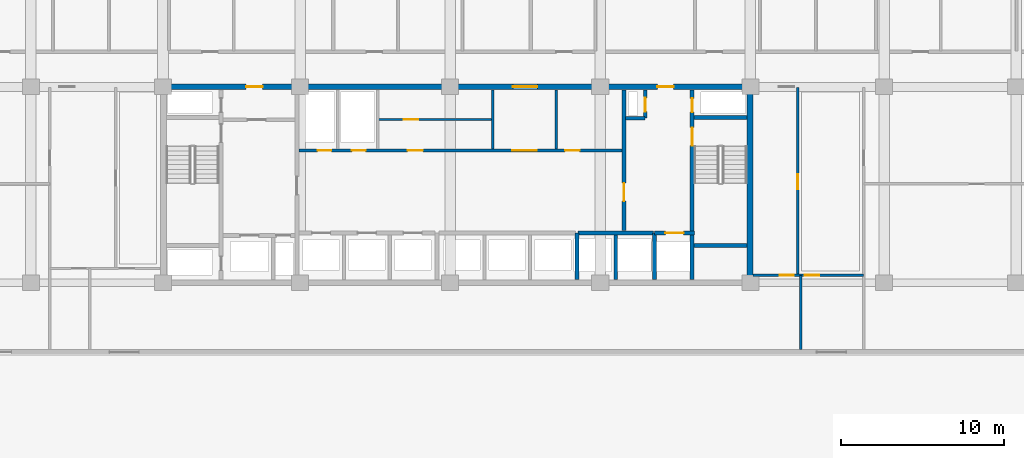
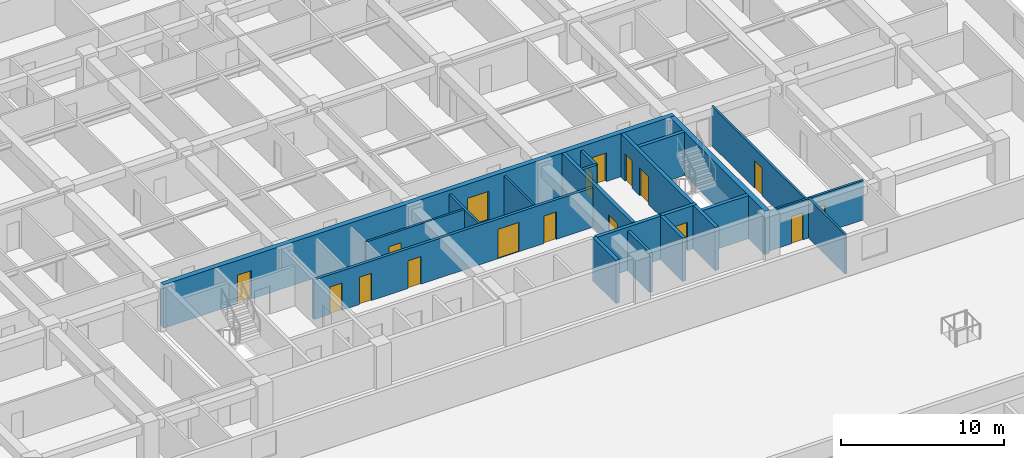
# One storey, part 12 of 24: 20 walls, 17 doors, 17 openings.
"""IFC4 building model written with IfcOpenShell, lengths in metres."""

import ifcopenshell
import ifcopenshell.guid

model = None  # the IFC model being written
_history = None  # IfcOwnerHistory: only IFC2X3 demands one
_inside = {}  # id of a spatial element -> (the spatial element, [elements in it])
_under = {}  # id of a project, library or spatial element -> (it, [spatial elements below it])
_declared = {}  # id of a project -> (the project, [libraries it declares])
_typed = {}  # id of a type object -> (the type object, [elements of that type])
_made_of = {}  # id of a material, layer set ... -> (it, [elements and type objects made of it])


def new_model(schema):
    """Start an empty IFC model of exactly this schema.

    Asked for "IFC4X3", IfcOpenShell would pick the latest addendum, in which some entities
    have other attributes; the version numbers below select the first issue.
    IFC2X3 requires an IfcOwnerHistory on every rooted entity: one is made here for all.
    """
    global model, _history
    if schema == "IFC4X3":
        model = ifcopenshell.file(schema_version=(4, 3, 0, 0))
    else:
        model = ifcopenshell.file(schema=schema)
    _inside.clear()
    _under.clear()
    _declared.clear()
    _typed.clear()
    _made_of.clear()
    _history = None
    if model.schema == "IFC2X3":
        org = make("IfcOrganization", Name="unknown")
        user = make(
            "IfcPersonAndOrganization",
            ThePerson=make("IfcPerson", FamilyName="unknown"),
            TheOrganization=org,
        )
        app = make(
            "IfcApplication",
            ApplicationDeveloper=org,
            Version="unknown",
            ApplicationFullName="unknown",
            ApplicationIdentifier="unknown",
        )
        _history = make(
            "IfcOwnerHistory",
            OwningUser=user,
            OwningApplication=app,
            ChangeAction="ADDED",
            CreationDate=0,
        )
    return model


def make(cls, **values):
    """One entity of the class cls with the attributes given. An attribute that is None is left unset."""
    return model.create_entity(
        cls, **{name: value for name, value in values.items() if value is not None}
    )


def rooted(cls, **values):
    """An entity with a GlobalId (a new one), such as an element, a storey or a relation."""
    return make(cls, GlobalId=ifcopenshell.guid.new(), OwnerHistory=_history, **values)


def si_unit(unit_type, name, prefix=None):
    """IfcSIUnit, for example si_unit("LENGTHUNIT", "METRE", prefix="MILLI")."""
    return make("IfcSIUnit", UnitType=unit_type, Prefix=prefix, Name=name)


def assignment(units):
    """IfcUnitAssignment: the units of a project."""
    return None if units is None else make("IfcUnitAssignment", Units=units)


def point(xyz):
    """IfcCartesianPoint."""
    return None if xyz is None else make("IfcCartesianPoint", Coordinates=xyz)


def direction(xyz):
    """IfcDirection."""
    return None if xyz is None else make("IfcDirection", DirectionRatios=xyz)


def frame(location, z_axis=None, x_axis=None):
    """IfcAxis2Placement3D, a coordinate frame: its origin and axes. An axis left out is left unset."""
    return make(
        "IfcAxis2Placement3D",
        Location=point(location),
        Axis=direction(z_axis),
        RefDirection=direction(x_axis),
    )


def frame_2d(location, x_axis=None):
    """IfcAxis2Placement2D, a coordinate frame in the plane: its origin and x axis."""
    return make(
        "IfcAxis2Placement2D", Location=point(location), RefDirection=direction(x_axis)
    )


def origin():
    """The frame at (0, 0, 0) with its axes left unset."""
    return frame((0.0, 0.0, 0.0))


def place(relative_to, where):
    """IfcLocalPlacement: puts the frame where relative to a parent placement (None: the world)."""
    return make(
        "IfcLocalPlacement", PlacementRelTo=relative_to, RelativePlacement=where
    )


def context(
    kind, dimensions, precision=None, world=None, true_north=None, identifier=None
):
    """IfcGeometricRepresentationContext, for example the 3D "Model" context."""
    return make(
        "IfcGeometricRepresentationContext",
        ContextIdentifier=identifier,
        ContextType=kind,
        CoordinateSpaceDimension=dimensions,
        Precision=precision,
        WorldCoordinateSystem=world,
        TrueNorth=true_north,
    )


def subcontext(parent, identifier, kind, view, scale=None):
    """IfcGeometricRepresentationSubContext, for example "Body" below "Model"."""
    return make(
        "IfcGeometricRepresentationSubContext",
        ContextIdentifier=identifier,
        ContextType=kind,
        ParentContext=parent,
        TargetScale=scale,
        TargetView=view,
    )


def project(units=None, contexts=None):
    """IfcProject with its units and contexts."""
    return rooted(
        "IfcProject",
        Name="project",
        RepresentationContexts=contexts,
        UnitsInContext=assignment(units),
    )


def spatial(cls, under=None, at=None, **own):
    """A site, building, storey or space (cls), placed at a placement, below another one or the project."""
    s = rooted(cls, ObjectPlacement=at, **own)
    if under is not None:
        _under.setdefault(under.id(), (under, []))[1].append(s)
    return s


def profile(cls, at=None, kind="AREA", **sizes):
    """A parametric profile (cls). Its sizes go by their IFC names, for example OverallWidth=200.0."""
    return make(cls, ProfileType=kind, Position=at, **sizes)


def rectangle(**sizes):
    """IfcRectangleProfileDef."""
    return profile("IfcRectangleProfileDef", **sizes)


def extrude(swept, where, along, depth):
    """IfcExtrudedAreaSolid: the profile swept, set in the frame where, extruded along a direction by depth."""
    return make(
        "IfcExtrudedAreaSolid",
        SweptArea=swept,
        Position=where,
        ExtrudedDirection=direction(along),
        Depth=depth,
    )


def shape(context_of_items, identifier, shape_type, items):
    """IfcShapeRepresentation: the items that make up one representation, for example the "Body"."""
    return make(
        "IfcShapeRepresentation",
        ContextOfItems=context_of_items,
        RepresentationIdentifier=identifier,
        RepresentationType=shape_type,
        Items=items,
    )


def material(Name=None, Category=None):
    """IfcMaterial."""
    return make("IfcMaterial", Name=Name, Category=Category)


def layer(
    of_material, thickness, ventilated=None, Name=None, Category=None, Priority=None
):
    """IfcMaterialLayer: one layer of a wall or slab, of a material (None: an air gap)."""
    return make(
        "IfcMaterialLayer",
        Material=of_material,
        LayerThickness=thickness,
        IsVentilated=ventilated,
        Name=Name,
        Category=Category,
        Priority=Priority,
    )


def layer_set(layers, Name=None):
    """IfcMaterialLayerSet."""
    return make("IfcMaterialLayerSet", MaterialLayers=layers, LayerSetName=Name)


def made_of(thing, what):
    """Note that an element or type object is made of a material, layer set ...; save() writes the relation."""
    if what is not None:
        _made_of.setdefault(what.id(), (what, []))[1].append(thing)
    return thing


def type_object(cls, material=None, **own):
    """A type object (cls), such as IfcWallType, which elements share."""
    return made_of(rooted(cls, **own), material)


def element(
    cls,
    number,
    at=None,
    inside=None,
    cuts=None,
    type_object=None,
    material=None,
    context=None,
    identifier="Body",
    shape_type=None,
    held_by="IfcProductDefinitionShape",
    body=None,
    shapes=None,
    **own,
):
    """One element of the class cls, such as IfcWall. Its Tag is "e" and its number.

    at: its placement. inside: the storey or other place that contains it. cuts: it is an
    opening in that element (IfcRelVoidsElement). A single representation is given by context,
    identifier, shape_type and body (its items); several are given by shapes. held_by: the class
    of the entity that holds the representations. save() writes the other relations.
    """
    e = rooted(cls, Tag="e%d" % number, ObjectPlacement=at, **own)
    if body is not None:
        shapes = [shape(context, identifier, shape_type, body)]
    if shapes is not None:
        e.Representation = make(held_by, Representations=shapes)
    if inside is not None:
        _inside.setdefault(inside.id(), (inside, []))[1].append(e)
    if cuts is not None:
        rooted(
            "IfcRelVoidsElement", RelatingBuildingElement=cuts, RelatedOpeningElement=e
        )
    if type_object is not None:
        _typed.setdefault(type_object.id(), (type_object, []))[1].append(e)
    return made_of(e, material)


def fill(opening, filler):
    """IfcRelFillsElement: the door or window that sits in an opening."""
    return rooted(
        "IfcRelFillsElement",
        RelatingOpeningElement=opening,
        RelatedBuildingElement=filler,
    )


def aggregate(whole, parts):
    """IfcRelAggregates: a whole, such as a stair, and the parts it consists of."""
    return rooted("IfcRelAggregates", RelatingObject=whole, RelatedObjects=parts)


def save(model, path):
    """Write the relations noted so far, then the file.

    IfcRelAggregates (storeys below a building ...), IfcRelContainedInSpatialStructure (elements
    in a storey), IfcRelDefinesByType, IfcRelAssociatesMaterial and IfcRelDeclares: one each for
    every whole, place, type object, material and project.
    """
    for whole, parts in _under.values():
        aggregate(whole, parts)
    for where, things in _inside.values():
        rooted(
            "IfcRelContainedInSpatialStructure",
            RelatedElements=things,
            RelatingStructure=where,
        )
    for kind, things in _typed.values():
        rooted("IfcRelDefinesByType", RelatedObjects=things, RelatingType=kind)
    for what, things in _made_of.values():
        rooted("IfcRelAssociatesMaterial", RelatedObjects=things, RelatingMaterial=what)
    for by, libraries in _declared.values():
        rooted("IfcRelDeclares", RelatingContext=by, RelatedDefinitions=libraries)
    model.write(path)


model = new_model("IFC4")

# Units and contexts
model_context = context("Model", 3, precision=1e-05, world=origin(), true_north=direction((0.0, 1.0)))
body_context = subcontext(model_context, "Body", "Model", "MODEL_VIEW")
ifc_project = project(units=[si_unit("LENGTHUNIT", "METRE"), si_unit("AREAUNIT", "SQUARE_METRE"), si_unit("VOLUMEUNIT", "CUBIC_METRE"), si_unit("PLANEANGLEUNIT", "RADIAN"), si_unit("MASSUNIT", "GRAM", prefix="KILO")], contexts=[model_context])

# Site, building, storey
site_placement = place(None, origin())
site = spatial("IfcSite", under=ifc_project, at=site_placement, CompositionType="ELEMENT")
building_placement = place(site_placement, origin())
building = spatial("IfcBuilding", under=site, at=building_placement, Name="Korimba Cascade Residences", CompositionType="ELEMENT")
storey_placement = place(building_placement, frame((0.0, 0.0, 24.0)))
storey = spatial("IfcBuildingStorey", under=building, at=storey_placement, Name="L05", CompositionType="ELEMENT", Elevation=24.0)

# Wall
ifc_material_1 = material(Name="Concrete C65/80", Category="concrete")
ifc_layer_1 = layer(ifc_material_1, 0.35009765625)
ifc_layer_set_1 = layer_set([ifc_layer_1], Name="Concrete C65/80")
wall_type_1 = type_object("IfcWallType", Name="WAL-CORE-350", PredefinedType="SHEAR", material=ifc_layer_set_1)
wall_1_placement = place(storey_placement, frame((112.074951171875, 55.375, 0.0), z_axis=(0.0, 0.0, 1.0), x_axis=(0.0, 1.0, 0.0)))
element("IfcWall", 1, at=wall_1_placement, inside=storey, type_object=wall_type_1, Name="L05 Core Shear Wall CW-L05-T1-E", PredefinedType="SHEAR", context=body_context, shape_type="SweptSolid", body=[
    extrude(rectangle(XDim=11.64990234375, YDim=0.35009765625, at=frame_2d((5.824951171875, 0.0))), origin(), (0.0, 0.0, 1.0), 3.25),
])

# Wall, openings, doors
wall_2_placement = place(storey_placement, frame((75.949951171875, 67.199951171875, 0.0), z_axis=(0.0, 0.0, 1.0), x_axis=(1.0, 0.0, 0.0)))
wall_2 = element("IfcWall", 2, at=wall_2_placement, inside=storey, type_object=wall_type_1, Name="L05 Core Shear Wall CW-L05-T1-N", PredefinedType="SHEAR", context=body_context, shape_type="SweptSolid", body=[
    extrude(rectangle(XDim=36.300048828125, YDim=0.35009765625, at=frame_2d((18.14990234375, 0.0))), origin(), (0.0, 0.0, 1.0), 3.25),
])
opening_1_placement = place(wall_2_placement, frame((5.25, 0.0, 0.0)))
opening_1 = element("IfcOpeningElement", 3, at=opening_1_placement, cuts=wall_2, Name="Opening D-FD5", PredefinedType="OPENING", context=body_context, shape_type="SweptSolid", body=[
    extrude(rectangle(XDim=1.0, YDim=2.14990234375, at=frame_2d((0.5, 1.074951171875))), frame((0.0, 0.18505859375, 0.0), z_axis=(0.0, -1.0, 0.0), x_axis=(1.0, 0.0, 0.0)), (0.0, 0.0, 1.0), 0.3701171875),
])
opening_2_placement = place(wall_2_placement, frame((21.60009765625, 0.0, 0.0)))
opening_2 = element("IfcOpeningElement", 4, at=opening_2_placement, cuts=wall_2, Name="Opening D-FD8", PredefinedType="OPENING", context=body_context, shape_type="SweptSolid", body=[
    extrude(rectangle(XDim=1.5, YDim=2.199951171875, at=frame_2d((0.75, 1.10009765625))), frame((0.0, 0.18505859375, 0.0), z_axis=(0.0, -1.0, 0.0), x_axis=(1.0, 0.0, 0.0)), (0.0, 0.0, 1.0), 0.3701171875),
])
opening_3_placement = place(wall_2_placement, frame((30.449951171875, 0.0, 0.0)))
opening_3 = element("IfcOpeningElement", 5, at=opening_3_placement, cuts=wall_2, Name="Opening D-FD5", PredefinedType="OPENING", context=body_context, shape_type="SweptSolid", body=[
    extrude(rectangle(XDim=1.0, YDim=2.14990234375, at=frame_2d((0.5, 1.074951171875))), frame((0.0, 0.18505859375, 0.0), z_axis=(0.0, -1.0, 0.0), x_axis=(1.0, 0.0, 0.0)), (0.0, 0.0, 1.0), 0.3701171875),
])
ifc_material_2 = material(Name="Fire-Rated Acoustic Timber Vestibule Door", Category="wood")
door_type_1 = type_object("IfcDoorType", Name="DR-FD90-1000", OperationType="NOTDEFINED", PredefinedType="DOOR", material=ifc_material_2)
door_1_placement = place(opening_1_placement, origin())
door_1 = element("IfcDoor", 6, at=door_1_placement, inside=storey, type_object=door_type_1, Name="L05 T1 West Core Vestibule Fire Door", OperationType="SINGLE_SWING_RIGHT", OverallHeight=2.14990234375, OverallWidth=1.0, PredefinedType="DOOR", context=body_context, shape_type="SweptSolid", body=[
    extrude(rectangle(XDim=1.0, YDim=2.14990234375, at=frame_2d((0.5, 1.074951171875))), frame((0.0, 0.02490234375, 0.0), z_axis=(0.0, -1.0, 0.0), x_axis=(1.0, 0.0, 0.0)), (0.0, 0.0, 1.0), 0.050048828125),
])
fill(opening_1, door_1)
door_2_placement = place(opening_3_placement, origin())
door_2 = element("IfcDoor", 7, at=door_2_placement, inside=storey, type_object=door_type_1, Name="L05 T1 East Firefighting Vestibule Fire Door", OperationType="SINGLE_SWING_LEFT", OverallHeight=2.14990234375, OverallWidth=1.0, PredefinedType="DOOR", context=body_context, shape_type="SweptSolid", body=[
    extrude(rectangle(XDim=1.0, YDim=2.14990234375, at=frame_2d((0.5, 1.074951171875))), frame((0.0, 0.02490234375, 0.0), z_axis=(0.0, -1.0, 0.0), x_axis=(1.0, 0.0, 0.0)), (0.0, 0.0, 1.0), 0.050048828125),
])
fill(opening_3, door_2)
ifc_material_3 = material(Name="Fire-Rated Glazed Lift Lobby Double Door", Category="glass")
door_type_2 = type_object("IfcDoorType", Name="DR-FD90-1500", OperationType="NOTDEFINED", PredefinedType="DOOR", material=ifc_material_3)
door_3_placement = place(opening_2_placement, origin())
door_3 = element("IfcDoor", 8, at=door_3_placement, inside=storey, type_object=door_type_2, Name="L05 T1 Lift Lobby Fire Door", OperationType="DOUBLE_DOOR_SINGLE_SWING", OverallHeight=2.199951171875, OverallWidth=1.5, PredefinedType="DOOR", context=body_context, shape_type="SweptSolid", body=[
    extrude(rectangle(XDim=1.5, YDim=2.199951171875, at=frame_2d((0.75, 1.10009765625))), frame((0.0, 0.02490234375, 0.0), z_axis=(0.0, -1.0, 0.0), x_axis=(1.0, 0.0, 0.0)), (0.0, 0.0, 1.0), 0.050048828125),
])
fill(opening_2, door_3)

# Wall, opening, door
ifc_material_4 = material(Name="Insulated Acoustic Stud Partition", Category="gypsum")
ifc_layer_2 = layer(ifc_material_4, 0.14990234375)
ifc_layer_set_2 = layer_set([ifc_layer_2], Name="Insulated Acoustic Stud Partition")
wall_type_2 = type_object("IfcWallType", Name="WAL-PART-150", PredefinedType="PARTITIONING", material=ifc_layer_set_2)
wall_3_placement = place(storey_placement, frame((89.25, 65.199951171875, 0.0), z_axis=(0.0, 0.0, 1.0), x_axis=(1.0, 0.0, 0.0)))
wall_3 = element("IfcWall", 9, at=wall_3_placement, inside=storey, type_object=wall_type_2, Name="L05 Partition Wall CW-L05-T1-CA2HZ", PredefinedType="PARTITIONING", context=body_context, shape_type="SweptSolid", body=[
    extrude(rectangle(XDim=7.050048828125, YDim=0.14990234375, at=frame_2d((3.52490234375, 0.0))), origin(), (0.0, 0.0, 1.0), 2.969970703125),
])
opening_4_placement = place(wall_3_placement, frame((1.60009765625, 0.0, 0.0)))
opening_4 = element("IfcOpeningElement", 10, at=opening_4_placement, cuts=wall_3, Name="Opening D-IN2", PredefinedType="OPENING", context=body_context, shape_type="SweptSolid", body=[
    extrude(rectangle(XDim=0.8798828125, YDim=2.06005859375, at=frame_2d((0.43994140625, 1.030029296875))), frame((0.0, 0.0849609375, 0.0), z_axis=(0.0, -1.0, 0.0), x_axis=(1.0, 0.0, 0.0)), (0.0, 0.0, 1.0), 0.169921875),
])
ifc_material_5 = material(Name="Acoustic Timber Bedroom Door", Category="wood")
door_type_3 = type_object("IfcDoorType", Name="DR-INT-880", OperationType="NOTDEFINED", PredefinedType="DOOR", material=ifc_material_5)
door_4_placement = place(opening_4_placement, origin())
door_4 = element("IfcDoor", 11, at=door_4_placement, inside=storey, type_object=door_type_3, Name="L05 Pram Store Door", OperationType="SINGLE_SWING_RIGHT", OverallHeight=2.06005859375, OverallWidth=0.8798828125, PredefinedType="DOOR", context=body_context, shape_type="SweptSolid", body=[
    extrude(rectangle(XDim=0.8798828125, YDim=2.06005859375, at=frame_2d((0.43994140625, 1.030029296875))), frame((0.0, 0.02490234375, 0.0), z_axis=(0.0, -1.0, 0.0), x_axis=(1.0, 0.0, 0.0)), (0.0, 0.0, 1.0), 0.050048828125),
])
fill(opening_4, door_4)

# Walls
for number, where, z_axis, x_axis, name in (
    (12, (96.300048828125, 63.39990234375, 0.0), (0.0, 0.0, 1.0), (0.0, 1.0, 0.0), "L05 Partition Wall CW-L05-T1-THW"),
    (13, (100.199951171875, 63.39990234375, 0.0), (0.0, 0.0, 1.0), (0.0, 1.0, 0.0), "L05 Partition Wall CW-L05-T1-THE"),
):
    element("IfcWall", number, at=place(storey_placement, frame(where, z_axis=z_axis, x_axis=x_axis)), inside=storey, type_object=wall_type_2, Name=name, PredefinedType="PARTITIONING", context=body_context, shape_type="SweptSolid", body=[
        extrude(rectangle(XDim=3.60009765625, YDim=0.14990234375, at=frame_2d((1.800048828125, 0.0))), origin(), (0.0, 0.0, 1.0), 2.969970703125),
    ])

# Wall, opening, door
wall_4_placement = place(storey_placement, frame((115.0, 55.64990234375, 0.0), z_axis=(0.0, 0.0, 1.0), x_axis=(0.0, 1.0, 0.0)))
wall_4 = element("IfcWall", 14, at=wall_4_placement, inside=storey, type_object=wall_type_2, Name="L05 Partition Wall WAL-L05-T1-FE-VN", PredefinedType="PARTITIONING", context=body_context, shape_type="SweptSolid", body=[
    extrude(rectangle(XDim=11.5, YDim=0.14990234375, at=frame_2d((5.75, 0.0))), origin(), (0.0, 0.0, 1.0), 2.969970703125),
])
opening_5_placement = place(wall_4_placement, frame((5.2900390625, 0.0, 0.0)))
opening_5 = element("IfcOpeningElement", 15, at=opening_5_placement, cuts=wall_4, Name="Opening D-IN1", PredefinedType="OPENING", context=body_context, shape_type="SweptSolid", body=[
    extrude(rectangle(XDim=0.919921875, YDim=2.080078125, at=frame_2d((0.4599609375, 1.0400390625))), frame((0.0, 0.0849609375, 0.0), z_axis=(0.0, -1.0, 0.0), x_axis=(1.0, 0.0, 0.0)), (0.0, 0.0, 1.0), 0.169921875),
])
ifc_material_6 = material(Name="Acoustic Timber Living Door", Category="wood")
door_type_4 = type_object("IfcDoorType", Name="DR-INT-920", OperationType="NOTDEFINED", PredefinedType="DOOR", material=ifc_material_6)
door_5_placement = place(opening_5_placement, origin())
door_5 = element("IfcDoor", 16, at=door_5_placement, inside=storey, type_object=door_type_4, Name="L05-T1-FE Living Door", OperationType="SINGLE_SWING_LEFT", OverallHeight=2.080078125, OverallWidth=0.919921875, PredefinedType="DOOR", context=body_context, shape_type="SweptSolid", body=[
    extrude(rectangle(XDim=0.919921875, YDim=2.080078125, at=frame_2d((0.4599609375, 1.0400390625))), frame((0.0, 0.02490234375, 0.0), z_axis=(0.0, -1.0, 0.0), x_axis=(1.0, 0.0, 0.0)), (0.0, 0.0, 1.0), 0.050048828125),
])
fill(opening_5, door_5)

# Wall
wall_5_placement = place(storey_placement, frame((115.199951171875, 51.10009765625, 0.0), z_axis=(0.0, 0.0, 1.0), x_axis=(0.0, 1.0, 0.0)))
element("IfcWall", 17, at=wall_5_placement, inside=storey, type_object=wall_type_2, Name="L05 Partition Wall WAL-L05-T1-FE-VS", PredefinedType="PARTITIONING", context=body_context, shape_type="SweptSolid", body=[
    extrude(rectangle(XDim=4.5498046875, YDim=0.14990234375, at=frame_2d((2.27490234375, 0.0))), origin(), (0.0, 0.0, 1.0), 2.969970703125),
])

# Wall, openings, doors
wall_6_placement = place(storey_placement, frame((112.27001953125, 55.64990234375, 0.0), z_axis=(0.0, 0.0, 1.0), x_axis=(1.0, 0.0, 0.0)))
wall_6 = element("IfcWall", 18, at=wall_6_placement, inside=storey, type_object=wall_type_2, Name="L05 Partition Wall WAL-L05-T1-FE-H", PredefinedType="PARTITIONING", context=body_context, shape_type="SweptSolid", body=[
    extrude(rectangle(XDim=6.760009765625, YDim=0.14990234375, at=frame_2d((3.3798828125, 0.0))), origin(), (0.0, 0.0, 1.0), 2.969970703125),
])
opening_6_placement = place(wall_6_placement, frame((1.6396484375, 0.0, 0.0)))
opening_6 = element("IfcOpeningElement", 19, at=opening_6_placement, cuts=wall_6, Name="Opening D-BT1", PredefinedType="OPENING", context=body_context, shape_type="SweptSolid", body=[
    extrude(rectangle(XDim=0.840087890625, YDim=2.0400390625, at=frame_2d((0.419921875, 1.02001953125))), frame((0.0, 0.0849609375, 0.0), z_axis=(0.0, -1.0, 0.0), x_axis=(1.0, 0.0, 0.0)), (0.0, 0.0, 1.0), 0.169921875),
])
opening_7_placement = place(wall_6_placement, frame((3.160400390625, 0.0, 0.0)))
opening_7 = element("IfcOpeningElement", 20, at=opening_7_placement, cuts=wall_6, Name="Opening D-IN2", PredefinedType="OPENING", context=body_context, shape_type="SweptSolid", body=[
    extrude(rectangle(XDim=0.8798828125, YDim=2.06005859375, at=frame_2d((0.43994140625, 1.030029296875))), frame((0.0, 0.0849609375, 0.0), z_axis=(0.0, -1.0, 0.0), x_axis=(1.0, 0.0, 0.0)), (0.0, 0.0, 1.0), 0.169921875),
])
ifc_material_7 = material(Name="Moisture-Resistant Bathroom Timber Door", Category="wood")
door_type_5 = type_object("IfcDoorType", Name="DR-INT-850", OperationType="NOTDEFINED", PredefinedType="DOOR", material=ifc_material_7)
door_6_placement = place(opening_6_placement, origin())
door_6 = element("IfcDoor", 21, at=door_6_placement, inside=storey, type_object=door_type_5, Name="L05-T1-FE Bathroom Door", OperationType="SINGLE_SWING_RIGHT", OverallHeight=2.0400390625, OverallWidth=0.840087890625, PredefinedType="DOOR", context=body_context, shape_type="SweptSolid", body=[
    extrude(rectangle(XDim=0.840087890625, YDim=2.0400390625, at=frame_2d((0.419921875, 1.02001953125))), frame((0.0, 0.02490234375, 0.0), z_axis=(0.0, -1.0, 0.0), x_axis=(1.0, 0.0, 0.0)), (0.0, 0.0, 1.0), 0.050048828125),
])
fill(opening_6, door_6)
door_7_placement = place(opening_7_placement, origin())
door_7 = element("IfcDoor", 22, at=door_7_placement, inside=storey, type_object=door_type_3, Name="L05-T1-FE Bedroom Door", OperationType="SINGLE_SWING_LEFT", OverallHeight=2.06005859375, OverallWidth=0.8798828125, PredefinedType="DOOR", context=body_context, shape_type="SweptSolid", body=[
    extrude(rectangle(XDim=0.8798828125, YDim=2.06005859375, at=frame_2d((0.43994140625, 1.030029296875))), frame((0.0, 0.02490234375, 0.0), z_axis=(0.0, -1.0, 0.0), x_axis=(1.0, 0.0, 0.0)), (0.0, 0.0, 1.0), 0.050048828125),
])
fill(opening_7, door_7)

# Wall
ifc_material_8 = material(Name="Concrete C40/50", Category="concrete")
ifc_layer_3 = layer(ifc_material_8, 0.199951171875)
ifc_layer_set_3 = layer_set([ifc_layer_3], Name="Concrete C40/50")
wall_type_3 = type_object("IfcWallType", Name="WAL-PART-200", PredefinedType="PARTITIONING", material=ifc_layer_set_3)
wall_7_placement = place(storey_placement, frame((103.85009765625, 55.39990234375, 0.0), z_axis=(0.0, 0.0, 1.0), x_axis=(0.0, 1.0, 0.0)))
element("IfcWall", 23, at=wall_7_placement, inside=storey, type_object=wall_type_3, Name="L05 Partition Wall CW-L05-T1-B3D1", PredefinedType="PARTITIONING", context=body_context, shape_type="SweptSolid", body=[
    extrude(rectangle(XDim=2.72021484375, YDim=0.199951171875, at=frame_2d((1.360107421875, 0.0))), origin(), (0.0, 0.0, 1.0), 2.969970703125),
])

# Wall, openings, doors
wall_8_placement = place(storey_placement, frame((84.419921875, 63.300048828125, 0.0), z_axis=(0.0, 0.0, 1.0), x_axis=(1.0, 0.0, 0.0)))
wall_8 = element("IfcWall", 24, at=wall_8_placement, inside=storey, type_object=wall_type_3, Name="L05 Partition Wall CW-L05-T1-SRVROW", PredefinedType="PARTITIONING", context=body_context, shape_type="SweptSolid", body=[
    extrude(rectangle(XDim=19.830078125, YDim=0.199951171875, at=frame_2d((9.9150390625, 0.0))), origin(), (0.0, 0.0, 1.0), 2.969970703125),
])
opening_8_placement = place(wall_8_placement, frame((1.14990234375, 0.0, 0.0)))
opening_8 = element("IfcOpeningElement", 25, at=opening_8_placement, cuts=wall_8, Name="Opening D-RS1", PredefinedType="OPENING", context=body_context, shape_type="SweptSolid", body=[
    extrude(rectangle(XDim=0.85009765625, YDim=2.050048828125, at=frame_2d((0.425048828125, 1.02490234375))), frame((0.0, 0.10986328125, 0.0), z_axis=(0.0, -1.0, 0.0), x_axis=(1.0, 0.0, 0.0)), (0.0, 0.0, 1.0), 0.219970703125),
])
opening_9_placement = place(wall_8_placement, frame((3.25, 0.0, 0.0)))
opening_9 = element("IfcOpeningElement", 26, at=opening_9_placement, cuts=wall_8, Name="Opening D-RS1", PredefinedType="OPENING", context=body_context, shape_type="SweptSolid", body=[
    extrude(rectangle(XDim=0.85009765625, YDim=2.050048828125, at=frame_2d((0.425048828125, 1.02490234375))), frame((0.0, 0.10986328125, 0.0), z_axis=(0.0, -1.0, 0.0), x_axis=(1.0, 0.0, 0.0)), (0.0, 0.0, 1.0), 0.219970703125),
])
opening_10_placement = place(wall_8_placement, frame((13.080078125, 0.0, 0.0)))
opening_10 = element("IfcOpeningElement", 27, at=opening_10_placement, cuts=wall_8, Name="Opening D-FD8", PredefinedType="OPENING", context=body_context, shape_type="SweptSolid", body=[
    extrude(rectangle(XDim=1.5, YDim=2.199951171875, at=frame_2d((0.75, 1.10009765625))), frame((0.0, 0.10986328125, 0.0), z_axis=(0.0, -1.0, 0.0), x_axis=(1.0, 0.0, 0.0)), (0.0, 0.0, 1.0), 0.219970703125),
])
opening_11_placement = place(wall_8_placement, frame((6.679931640625, 0.0, 0.0)))
opening_11 = element("IfcOpeningElement", 28, at=opening_11_placement, cuts=wall_8, Name="Opening D-IN1", PredefinedType="OPENING", context=body_context, shape_type="SweptSolid", body=[
    extrude(rectangle(XDim=0.919921875, YDim=2.080078125, at=frame_2d((0.4599609375, 1.0400390625))), frame((0.0, 0.10986328125, 0.0), z_axis=(0.0, -1.0, 0.0), x_axis=(1.0, 0.0, 0.0)), (0.0, 0.0, 1.0), 0.219970703125),
])
opening_12_placement = place(wall_8_placement, frame((16.330078125, 0.0, 0.0)))
opening_12 = element("IfcOpeningElement", 29, at=opening_12_placement, cuts=wall_8, Name="Opening D-IN2", PredefinedType="OPENING", context=body_context, shape_type="SweptSolid", body=[
    extrude(rectangle(XDim=0.8798828125, YDim=2.06005859375, at=frame_2d((0.43994140625, 1.030029296875))), frame((0.0, 0.10986328125, 0.0), z_axis=(0.0, -1.0, 0.0), x_axis=(1.0, 0.0, 0.0)), (0.0, 0.0, 1.0), 0.219970703125),
])
ifc_material_9 = material(Name="Fire-Rated Steel Riser Access Door", Category="steel")
door_type_6 = type_object("IfcDoorType", Name="DR-FD60-850", OperationType="NOTDEFINED", PredefinedType="DOOR", material=ifc_material_9)
door_8_placement = place(opening_8_placement, origin())
door_8 = element("IfcDoor", 30, at=door_8_placement, inside=storey, type_object=door_type_6, Name="L05 Electrical Riser Door", OperationType="SINGLE_SWING_LEFT", OverallHeight=2.050048828125, OverallWidth=0.85009765625, PredefinedType="DOOR", context=body_context, shape_type="SweptSolid", body=[
    extrude(rectangle(XDim=0.85009765625, YDim=2.050048828125, at=frame_2d((0.425048828125, 1.02490234375))), frame((0.0, 0.02490234375, 0.0), z_axis=(0.0, -1.0, 0.0), x_axis=(1.0, 0.0, 0.0)), (0.0, 0.0, 1.0), 0.050048828125),
])
fill(opening_8, door_8)
door_9_placement = place(opening_9_placement, origin())
door_9 = element("IfcDoor", 31, at=door_9_placement, inside=storey, type_object=door_type_6, Name="L05 Plumbing Riser Door", OperationType="SINGLE_SWING_RIGHT", OverallHeight=2.050048828125, OverallWidth=0.85009765625, PredefinedType="DOOR", context=body_context, shape_type="SweptSolid", body=[
    extrude(rectangle(XDim=0.85009765625, YDim=2.050048828125, at=frame_2d((0.425048828125, 1.02490234375))), frame((0.0, 0.02490234375, 0.0), z_axis=(0.0, -1.0, 0.0), x_axis=(1.0, 0.0, 0.0)), (0.0, 0.0, 1.0), 0.050048828125),
])
fill(opening_9, door_9)
door_10_placement = place(opening_10_placement, origin())
door_10 = element("IfcDoor", 32, at=door_10_placement, inside=storey, type_object=door_type_2, Name="L05 Lift Lobby Foyer Archway Door", OperationType="DOUBLE_DOOR_SINGLE_SWING", OverallHeight=2.199951171875, OverallWidth=1.5, PredefinedType="DOOR", context=body_context, shape_type="SweptSolid", body=[
    extrude(rectangle(XDim=1.5, YDim=2.199951171875, at=frame_2d((0.75, 1.10009765625))), frame((0.0, 0.02490234375, 0.0), z_axis=(0.0, -1.0, 0.0), x_axis=(1.0, 0.0, 0.0)), (0.0, 0.0, 1.0), 0.050048828125),
])
fill(opening_10, door_10)
door_11_placement = place(opening_12_placement, origin())
door_11 = element("IfcDoor", 33, at=door_11_placement, inside=storey, type_object=door_type_3, Name="L05 Staff WC Door", OperationType="SINGLE_SWING_RIGHT", OverallHeight=2.06005859375, OverallWidth=0.8798828125, PredefinedType="DOOR", context=body_context, shape_type="SweptSolid", body=[
    extrude(rectangle(XDim=0.8798828125, YDim=2.06005859375, at=frame_2d((0.43994140625, 1.030029296875))), frame((0.0, 0.02490234375, 0.0), z_axis=(0.0, -1.0, 0.0), x_axis=(1.0, 0.0, 0.0)), (0.0, 0.0, 1.0), 0.050048828125),
])
fill(opening_12, door_11)
door_12_placement = place(opening_11_placement, origin())
door_12 = element("IfcDoor", 34, at=door_12_placement, inside=storey, type_object=door_type_4, Name="L05 Locker Room Door", OperationType="SINGLE_SWING_LEFT", OverallHeight=2.080078125, OverallWidth=0.919921875, PredefinedType="DOOR", context=body_context, shape_type="SweptSolid", body=[
    extrude(rectangle(XDim=0.919921875, YDim=2.080078125, at=frame_2d((0.4599609375, 1.0400390625))), frame((0.0, 0.02490234375, 0.0), z_axis=(0.0, -1.0, 0.0), x_axis=(1.0, 0.0, 0.0)), (0.0, 0.0, 1.0), 0.050048828125),
])
fill(opening_11, door_12)

# Wall
wall_9_placement = place(storey_placement, frame((104.449951171875, 65.280029296875, 0.0), z_axis=(0.0, 0.0, 1.0), x_axis=(1.0, 0.0, 0.0)))
element("IfcWall", 35, at=wall_9_placement, inside=storey, type_object=wall_type_3, Name="L05 Partition Wall CW-L05-T1-HYDW2S", PredefinedType="PARTITIONING", context=body_context, shape_type="SweptSolid", body=[
    extrude(rectangle(XDim=1.199951171875, YDim=0.199951171875, at=frame_2d((0.60009765625, 0.0))), origin(), (0.0, 0.0, 1.0), 2.969970703125),
])

# Wall, opening, door
wall_10_placement = place(storey_placement, frame((105.64990234375, 65.280029296875, 0.0), z_axis=(0.0, 0.0, 1.0), x_axis=(0.0, 1.0, 0.0)))
wall_10 = element("IfcWall", 36, at=wall_10_placement, inside=storey, type_object=wall_type_3, Name="L05 Partition Wall CW-L05-T1-HYDW2E", PredefinedType="PARTITIONING", context=body_context, shape_type="SweptSolid", body=[
    extrude(rectangle(XDim=1.719970703125, YDim=0.199951171875, at=frame_2d((0.85986328125, 0.0))), origin(), (0.0, 0.0, 1.0), 2.969970703125),
])
opening_13_placement = place(wall_10_placement, frame((0.39990234375, 0.0, 0.0)))
opening_13 = element("IfcOpeningElement", 37, at=opening_13_placement, cuts=wall_10, Name="Opening D-RS1", PredefinedType="OPENING", context=body_context, shape_type="SweptSolid", body=[
    extrude(rectangle(XDim=0.85009765625, YDim=2.050048828125, at=frame_2d((0.425048828125, 1.02490234375))), frame((0.0, 0.10986328125, 0.0), z_axis=(0.0, -1.0, 0.0), x_axis=(1.0, 0.0, 0.0)), (0.0, 0.0, 1.0), 0.219970703125),
])
door_13_placement = place(opening_13_placement, origin())
door_13 = element("IfcDoor", 38, at=door_13_placement, inside=storey, type_object=door_type_6, Name="L05 East Hydrant Door", OperationType="SINGLE_SWING_LEFT", OverallHeight=2.050048828125, OverallWidth=0.85009765625, PredefinedType="DOOR", context=body_context, shape_type="SweptSolid", body=[
    extrude(rectangle(XDim=0.85009765625, YDim=2.050048828125, at=frame_2d((0.425048828125, 1.02490234375))), frame((0.0, 0.02490234375, 0.0), z_axis=(0.0, -1.0, 0.0), x_axis=(1.0, 0.0, 0.0)), (0.0, 0.0, 1.0), 0.050048828125),
])
fill(opening_13, door_13)

# Walls
ifc_material_10 = material(Name="Concrete C50/60", Category="concrete")
ifc_layer_4 = layer(ifc_material_10, 0.25)
ifc_layer_set_4 = layer_set([ifc_layer_4], Name="Concrete C50/60")
wall_type_4 = type_object("IfcWallType", Name="WAL-SHAFT-250", PredefinedType="SHEAR", material=ifc_layer_set_4)
wall_11_placement = place(storey_placement, frame((101.47998046875, 55.39990234375, 0.0), z_axis=(0.0, 0.0, 1.0), x_axis=(0.0, 1.0, 0.0)))
element("IfcWall", 39, at=wall_11_placement, inside=storey, type_object=wall_type_4, Name="L05 Core Shear Wall CW-L05-T1-B23DIV", PredefinedType="SHEAR", context=body_context, shape_type="SweptSolid", body=[
    extrude(rectangle(XDim=2.85009765625, YDim=0.25, at=frame_2d((1.425048828125, 0.0))), origin(), (0.0, 0.0, 1.0), 3.25),
])
wall_12_placement = place(storey_placement, frame((101.550048828125, 58.25, 0.0), z_axis=(0.0, 0.0, 1.0), x_axis=(1.0, 0.0, 0.0)))
element("IfcWall", 40, at=wall_12_placement, inside=storey, type_object=wall_type_4, Name="L05 Core Shear Wall CW-L05-T1-B3N", PredefinedType="SHEAR", context=body_context, shape_type="SweptSolid", body=[
    extrude(rectangle(XDim=4.599853515625, YDim=0.25, at=frame_2d((2.2998046875, 0.0))), origin(), (0.0, 0.0, 1.0), 3.25),
])
wall_13_placement = place(storey_placement, frame((106.219970703125, 55.39990234375, 0.0), z_axis=(0.0, 0.0, 1.0), x_axis=(0.0, 1.0, 0.0)))
element("IfcWall", 41, at=wall_13_placement, inside=storey, type_object=wall_type_4, Name="L05 Core Shear Wall CW-L05-T1-FF2W", PredefinedType="SHEAR", context=body_context, shape_type="SweptSolid", body=[
    extrude(rectangle(XDim=2.85009765625, YDim=0.25, at=frame_2d((1.425048828125, 0.0))), origin(), (0.0, 0.0, 1.0), 3.25),
])

# Wall, opening, door
wall_14_placement = place(storey_placement, frame((106.219970703125, 58.25, 0.0), z_axis=(0.0, 0.0, 1.0), x_axis=(1.0, 0.0, 0.0)))
wall_14 = element("IfcWall", 42, at=wall_14_placement, inside=storey, type_object=wall_type_4, Name="L05 Core Shear Wall CW-L05-T1-FF2N", PredefinedType="SHEAR", context=body_context, shape_type="SweptSolid", body=[
    extrude(rectangle(XDim=2.4599609375, YDim=0.25, at=frame_2d((1.22998046875, 0.0))), origin(), (0.0, 0.0, 1.0), 3.25),
])
opening_14_placement = place(wall_14_placement, frame((0.669921875, 0.0, 0.0)))
opening_14 = element("IfcOpeningElement", 43, at=opening_14_placement, cuts=wall_14, Name="Opening LD-01", PredefinedType="OPENING", context=body_context, shape_type="SweptSolid", body=[
    extrude(rectangle(XDim=1.1201171875, YDim=2.1201171875, at=frame_2d((0.56005859375, 1.06005859375))), frame((0.0, 0.135009765625, 0.0), z_axis=(0.0, -1.0, 0.0), x_axis=(1.0, 0.0, 0.0)), (0.0, 0.0, 1.0), 0.27001953125),
])
ifc_material_11 = material(Name="Stainless Steel Lift Landing Sliding Door", Category="steel")
door_type_7 = type_object("IfcDoorType", Name="DR-LIFT-1100", OperationType="NOTDEFINED", PredefinedType="DOOR", material=ifc_material_11)
door_14_placement = place(opening_14_placement, origin())
door_14 = element("IfcDoor", 44, at=door_14_placement, inside=storey, type_object=door_type_7, Name="L05 Firefighting Lift Landing Door FFL-W2", OperationType="SLIDING_TO_RIGHT", OverallHeight=2.1201171875, OverallWidth=1.1201171875, PredefinedType="DOOR", context=body_context, shape_type="SweptSolid", body=[
    extrude(rectangle(XDim=1.1201171875, YDim=2.1201171875, at=frame_2d((0.56005859375, 1.06005859375))), frame((0.0, 0.02490234375, 0.0), z_axis=(0.0, -1.0, 0.0), x_axis=(1.0, 0.0, 0.0)), (0.0, 0.0, 1.0), 0.050048828125),
])
fill(opening_14, door_14)

wall_15_placement = place(storey_placement, frame((104.35009765625, 58.39990234375, 0.0), z_axis=(0.0, 0.0, 1.0), x_axis=(0.0, 1.0, 0.0)))
wall_15 = element("IfcWall", 45, at=wall_15_placement, inside=storey, type_object=wall_type_4, Name="L05 Core Shear Wall CW-L05-T1-LLEV", PredefinedType="SHEAR", context=body_context, shape_type="SweptSolid", body=[
    extrude(rectangle(XDim=8.60009765625, YDim=0.25, at=frame_2d((4.300048828125, 0.0))), origin(), (0.0, 0.0, 1.0), 3.25),
])
opening_15_placement = place(wall_15_placement, frame((1.800048828125, 0.0, 0.0)))
opening_15 = element("IfcOpeningElement", 46, at=opening_15_placement, cuts=wall_15, Name="Opening D-FD1", PredefinedType="OPENING", context=body_context, shape_type="SweptSolid", body=[
    extrude(rectangle(XDim=1.10009765625, YDim=2.10009765625, at=frame_2d((0.550048828125, 1.050048828125))), frame((0.0, 0.135009765625, 0.0), z_axis=(0.0, -1.0, 0.0), x_axis=(1.0, 0.0, 0.0)), (0.0, 0.0, 1.0), 0.27001953125),
])
ifc_material_12 = material(Name="Fire-Rated Steel Core Door", Category="steel")
door_type_8 = type_object("IfcDoorType", Name="DR-FD120-1100", OperationType="NOTDEFINED", PredefinedType="DOOR", material=ifc_material_12)
door_15_placement = place(opening_15_placement, origin())
door_15 = element("IfcDoor", 47, at=door_15_placement, inside=storey, type_object=door_type_8, Name="L05 Lift Lobby to East Firefighting Lobby Door", OperationType="SINGLE_SWING_RIGHT", OverallHeight=2.10009765625, OverallWidth=1.10009765625, PredefinedType="DOOR", context=body_context, shape_type="SweptSolid", body=[
    extrude(rectangle(XDim=1.10009765625, YDim=2.10009765625, at=frame_2d((0.550048828125, 1.050048828125))), frame((0.0, 0.02490234375, 0.0), z_axis=(0.0, -1.0, 0.0), x_axis=(1.0, 0.0, 0.0)), (0.0, 0.0, 1.0), 0.050048828125),
])
fill(opening_15, door_15)

# Wall, openings, doors
wall_16_placement = place(storey_placement, frame((108.534912109375, 55.39990234375, 0.0), z_axis=(0.0, 0.0, 1.0), x_axis=(0.0, 1.0, 0.0)))
wall_16 = element("IfcWall", 48, at=wall_16_placement, inside=storey, type_object=wall_type_4, Name="L05 Core Shear Wall CW-L05-T1-STW2W", PredefinedType="SHEAR", context=body_context, shape_type="SweptSolid", body=[
    extrude(rectangle(XDim=11.60009765625, YDim=0.25, at=frame_2d((5.800048828125, 0.0))), origin(), (0.0, 0.0, 1.0), 3.25),
])
opening_16_placement = place(wall_16_placement, frame((8.199951171875, 0.0, 0.0)))
opening_16 = element("IfcOpeningElement", 49, at=opening_16_placement, cuts=wall_16, Name="Opening D-FD1", PredefinedType="OPENING", context=body_context, shape_type="SweptSolid", body=[
    extrude(rectangle(XDim=1.10009765625, YDim=2.10009765625, at=frame_2d((0.550048828125, 1.050048828125))), frame((0.0, 0.135009765625, 0.0), z_axis=(0.0, -1.0, 0.0), x_axis=(1.0, 0.0, 0.0)), (0.0, 0.0, 1.0), 0.27001953125),
])
opening_17_placement = place(wall_16_placement, frame((10.25, 0.0, 0.0)))
opening_17 = element("IfcOpeningElement", 50, at=opening_17_placement, cuts=wall_16, Name="Opening D-RS1", PredefinedType="OPENING", context=body_context, shape_type="SweptSolid", body=[
    extrude(rectangle(XDim=0.85009765625, YDim=2.050048828125, at=frame_2d((0.425048828125, 1.02490234375))), frame((0.0, 0.135009765625, 0.0), z_axis=(0.0, -1.0, 0.0), x_axis=(1.0, 0.0, 0.0)), (0.0, 0.0, 1.0), 0.27001953125),
])
door_16_placement = place(opening_16_placement, origin())
door_16 = element("IfcDoor", 51, at=door_16_placement, inside=storey, type_object=door_type_8, Name="L05 Fire Stair ST-W2 Door", OperationType="SINGLE_SWING_LEFT", OverallHeight=2.10009765625, OverallWidth=1.10009765625, PredefinedType="DOOR", context=body_context, shape_type="SweptSolid", body=[
    extrude(rectangle(XDim=1.10009765625, YDim=2.10009765625, at=frame_2d((0.550048828125, 1.050048828125))), frame((0.0, 0.02490234375, 0.0), z_axis=(0.0, -1.0, 0.0), x_axis=(1.0, 0.0, 0.0)), (0.0, 0.0, 1.0), 0.050048828125),
])
fill(opening_16, door_16)
door_17_placement = place(opening_17_placement, origin())
door_17 = element("IfcDoor", 52, at=door_17_placement, inside=storey, type_object=door_type_6, Name="L05 East Riser Door", OperationType="SINGLE_SWING_RIGHT", OverallHeight=2.050048828125, OverallWidth=0.85009765625, PredefinedType="DOOR", context=body_context, shape_type="SweptSolid", body=[
    extrude(rectangle(XDim=0.85009765625, YDim=2.050048828125, at=frame_2d((0.425048828125, 1.02490234375))), frame((0.0, 0.02490234375, 0.0), z_axis=(0.0, -1.0, 0.0), x_axis=(1.0, 0.0, 0.0)), (0.0, 0.0, 1.0), 0.050048828125),
])
fill(opening_17, door_17)

# Walls
for number, where, z_axis, x_axis, name in (
    (53, (108.659912109375, 57.47509765625, 0.0), (0.0, 0.0, 1.0), (1.0, 0.0, 0.0), "L05 Core Shear Wall CW-L05-T1-STW2S"),
    (54, (108.659912109375, 65.324951171875, 0.0), (0.0, 0.0, 1.0), (1.0, 0.0, 0.0), "L05 Core Shear Wall CW-L05-T1-STW2N"),
):
    element("IfcWall", number, at=place(storey_placement, frame(where, z_axis=z_axis, x_axis=x_axis)), inside=storey, type_object=wall_type_4, Name=name, PredefinedType="SHEAR", context=body_context, shape_type="SweptSolid", body=[
        extrude(rectangle(XDim=3.239990234375, YDim=0.25, at=frame_2d((1.6201171875, 0.0))), origin(), (0.0, 0.0, 1.0), 3.25),
    ])

save(model, "model.ifc")
